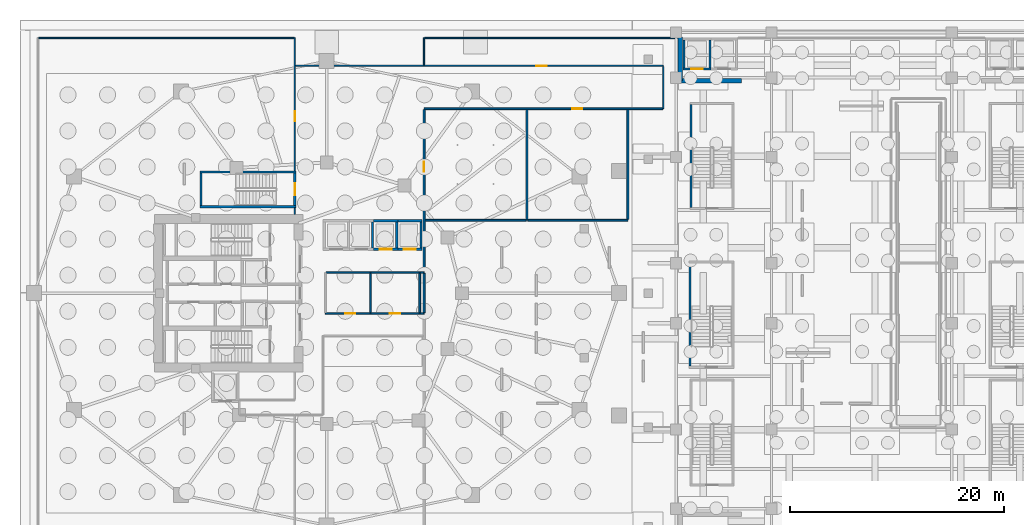
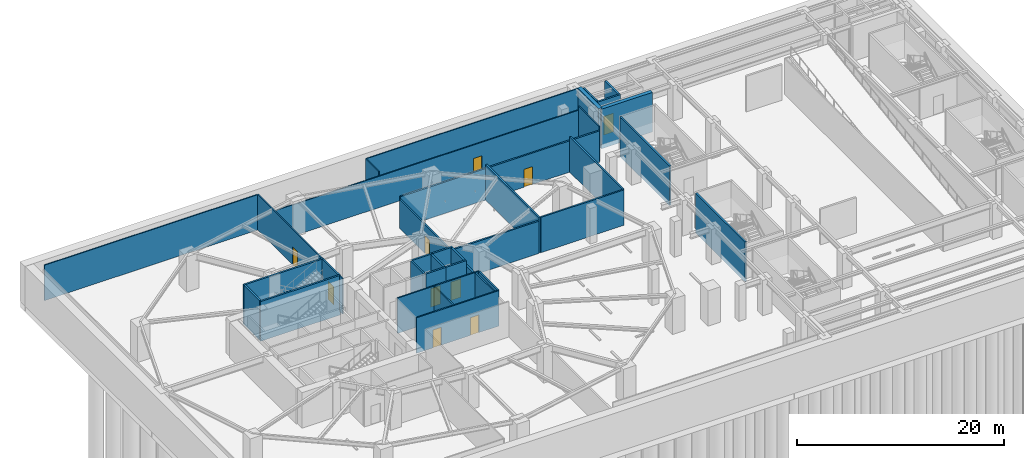
# One storey, part 9 of 19: 36 walls, 10 doors, 10 openings.
"""IFC4 building model written with IfcOpenShell, lengths in metres."""

from ifc_helpers import new_model, si_unit, direction, frame, frame_2d, origin, place, context, subcontext, project, spatial, rectangle, extrude, material, layer, layer_set, type_object, element, fill, save


model = new_model("IFC4")

# Units and contexts
model_context = context("Model", 3, precision=1e-05, world=origin(), true_north=direction((0.0, 1.0)))
body_context = subcontext(model_context, "Body", "Model", "MODEL_VIEW")
ifc_project = project(units=[si_unit("LENGTHUNIT", "METRE"), si_unit("AREAUNIT", "SQUARE_METRE"), si_unit("VOLUMEUNIT", "CUBIC_METRE"), si_unit("PLANEANGLEUNIT", "RADIAN"), si_unit("MASSUNIT", "GRAM", prefix="KILO")], contexts=[model_context])

# Site, building, storey
site_placement = place(None, origin())
site = spatial("IfcSite", under=ifc_project, at=site_placement, CompositionType="ELEMENT")
building_placement = place(site_placement, origin())
building = spatial("IfcBuilding", under=site, at=building_placement, Name="Kolvaren Gate Tower and Convention Centre", CompositionType="ELEMENT")
storey_placement = place(building_placement, frame((0.0, 0.0, -13.5)))
storey = spatial("IfcBuildingStorey", under=building, at=storey_placement, Name="B3", CompositionType="ELEMENT", Elevation=-13.5)

# Wall, opening, door
ifc_material_1 = material(Name="Autoclaved Aerated Masonry Blockwork Class 4 (4.0 MPa)", Category="masonry")
ifc_layer_1 = layer(ifc_material_1, 0.179931640625)
ifc_layer_set_1 = layer_set([ifc_layer_1], Name="Autoclaved Aerated Masonry Blockwork Class 4 (4.0 MPa)")
wall_type_1 = type_object("IfcWallType", Name="ARCH-WL-COMP-180", PredefinedType="SOLIDWALL", material=ifc_layer_set_1)
wall_1_placement = place(storey_placement, frame((39.199951171875, 44.199951171875, 0.0), z_axis=(0.0, 0.0, 1.0), x_axis=(1.0, 0.0, 0.0)))
wall_1 = element("IfcWall", 1, at=wall_1_placement, inside=storey, type_object=wall_type_1, Name="Interior Partition WL-B3-INT-022", PredefinedType="SOLIDWALL", context=body_context, shape_type="SweptSolid", body=[
    extrude(rectangle(XDim=22.238037109375, YDim=0.179931640625, at=frame_2d((11.119140625, 0.0))), origin(), (0.0, 0.0, 1.0), 3.702880859375),
])
opening_1_placement = place(wall_1_placement, frame((13.824951171875, 0.0, 0.0)))
opening_1 = element("IfcOpeningElement", 2, at=opening_1_placement, cuts=wall_1, Name="Opening DR-01", PredefinedType="OPENING", context=body_context, shape_type="SweptSolid", body=[
    extrude(rectangle(XDim=0.949951171875, YDim=2.10009765625, at=frame_2d((0.47509765625, 1.050048828125))), frame((0.0, 0.099853515625, 0.0), z_axis=(0.0, -1.0, 0.0), x_axis=(1.0, 0.0, 0.0)), (0.0, 0.0, 1.0), 0.199951171875),
])
ifc_material_2 = material(Name="Painted Architectural Steelwork ASTM A500 Grade C 345 MPa", Category="steel")
door_type_1 = type_object("IfcDoorType", Name="ARCH-DR-RISER-950", OperationType="SINGLE_SWING_RIGHT", PredefinedType="DOOR", material=ifc_material_2)
door_1_placement = place(opening_1_placement, origin())
door_1 = element("IfcDoor", 3, at=door_1_placement, inside=storey, type_object=door_type_1, Name="Standby Emergency Generator Plant Room Door", OperationType="SINGLE_SWING_LEFT", OverallHeight=2.10009765625, OverallWidth=0.949951171875, PredefinedType="DOOR", context=body_context, shape_type="SweptSolid", body=[
    extrude(rectangle(XDim=0.949951171875, YDim=2.10009765625, at=frame_2d((0.47509765625, 1.050048828125))), frame((0.0, 0.02490234375, 0.0), z_axis=(0.0, -1.0, 0.0), x_axis=(1.0, 0.0, 0.0)), (0.0, 0.0, 1.0), 0.050048828125),
])
fill(opening_1, door_1)

# Wall
wall_2_placement = place(storey_placement, frame((39.199951171875, 25.197021484375, 0.0), z_axis=(0.0, 0.0, 1.0), x_axis=(0.0, 1.0, 0.0)))
element("IfcWall", 4, at=wall_2_placement, inside=storey, type_object=wall_type_1, Name="Interior Partition WL-B3-INT-023 (2)", PredefinedType="SOLIDWALL", context=body_context, shape_type="SweptSolid", body=[
    extrude(rectangle(XDim=3.64599609375, YDim=0.179931640625, at=frame_2d((1.822998046875, 0.0))), origin(), (0.0, 0.0, 1.0), 4.179931640625),
])

# Wall, opening, door
wall_3_placement = place(storey_placement, frame((39.199951171875, 28.9970703125, 0.0), z_axis=(0.0, 0.0, 1.0), x_axis=(0.0, 1.0, 0.0)))
wall_3 = element("IfcWall", 5, at=wall_3_placement, inside=storey, type_object=wall_type_1, Name="Interior Partition WL-B3-INT-023 (3)", PredefinedType="SOLIDWALL", context=body_context, shape_type="SweptSolid", body=[
    extrude(rectangle(XDim=15.11083984375, YDim=0.179931640625, at=frame_2d((7.555419921875, 0.0))), origin(), (0.0, 0.0, 1.0), 3.4140625),
])
opening_2_placement = place(wall_3_placement, frame((9.31201171875, 0.0, 0.0)))
opening_2 = element("IfcOpeningElement", 6, at=opening_2_placement, cuts=wall_3, Name="Opening DR-01", PredefinedType="OPENING", context=body_context, shape_type="SweptSolid", body=[
    extrude(rectangle(XDim=0.949951171875, YDim=2.10009765625, at=frame_2d((0.47509765625, 1.050048828125))), frame((0.0, 0.099853515625, 0.0), z_axis=(0.0, -1.0, 0.0), x_axis=(1.0, 0.0, 0.0)), (0.0, 0.0, 1.0), 0.199951171875),
])
door_2_placement = place(opening_2_placement, origin())
door_2 = element("IfcDoor", 7, at=door_2_placement, inside=storey, type_object=door_type_1, Name="Fire-Protection Cistern and Domestic Water Booster Plant Door", OperationType="SINGLE_SWING_RIGHT", OverallHeight=2.10009765625, OverallWidth=0.949951171875, PredefinedType="DOOR", context=body_context, shape_type="SweptSolid", body=[
    extrude(rectangle(XDim=0.949951171875, YDim=2.10009765625, at=frame_2d((0.47509765625, 1.050048828125))), frame((0.0, 0.02490234375, 0.0), z_axis=(0.0, -1.0, 0.0), x_axis=(1.0, 0.0, 0.0)), (0.0, 0.0, 1.0), 0.050048828125),
])
fill(opening_2, door_2)

# Walls
wall_4_placement = place(storey_placement, frame((48.800048828125, 33.800048828125, 0.0), z_axis=(0.0, 0.0, 1.0), x_axis=(0.0, 1.0, 0.0)))
element("IfcWall", 8, at=wall_4_placement, inside=storey, type_object=wall_type_1, Name="Interior Partition WL-B3-INT-034", PredefinedType="SOLIDWALL", context=body_context, shape_type="SweptSolid", body=[
    extrude(rectangle(XDim=10.307861328125, YDim=0.179931640625, at=frame_2d((5.15380859375, 0.0))), origin(), (0.0, 0.0, 1.0), 4.179931640625),
])
wall_5_placement = place(storey_placement, frame((39.2919921875, 33.800048828125, 0.0), z_axis=(0.0, 0.0, 1.0), x_axis=(1.0, 0.0, 0.0)))
element("IfcWall", 9, at=wall_5_placement, inside=storey, type_object=wall_type_1, Name="Interior Partition WL-B3-INT-035", PredefinedType="SOLIDWALL", context=body_context, shape_type="SweptSolid", body=[
    extrude(rectangle(XDim=9.416015625, YDim=0.179931640625, at=frame_2d((4.7080078125, 0.0))), origin(), (0.0, 0.0, 1.0), 3.81494140625),
])
wall_6_placement = place(storey_placement, frame((48.89208984375, 33.800048828125, 0.0), z_axis=(0.0, 0.0, 1.0), x_axis=(1.0, 0.0, 0.0)))
element("IfcWall", 10, at=wall_6_placement, inside=storey, type_object=wall_type_1, Name="Interior Partition WL-B3-INT-035 (2)", PredefinedType="SOLIDWALL", context=body_context, shape_type="SweptSolid", body=[
    extrude(rectangle(XDim=9.307861328125, YDim=0.179931640625, at=frame_2d((4.65380859375, 0.0))), origin(), (0.0, 0.0, 1.0), 4.179931640625),
])
wall_7_placement = place(storey_placement, frame((58.199951171875, 33.89208984375, 0.0), z_axis=(0.0, 0.0, 1.0), x_axis=(0.0, 1.0, 0.0)))
element("IfcWall", 11, at=wall_7_placement, inside=storey, type_object=wall_type_1, Name="Interior Partition WL-B3-INT-036", PredefinedType="SOLIDWALL", context=body_context, shape_type="SweptSolid", body=[
    extrude(rectangle(XDim=10.2158203125, YDim=0.179931640625, at=frame_2d((5.10791015625, 0.0))), origin(), (0.0, 0.0, 1.0), 4.179931640625),
])
ifc_material_3 = material(Name="Fire-Rated Acoustic Gypsum Stud Partition", Category="gypsum")
ifc_layer_2 = layer(ifc_material_3, 0.1201171875)
ifc_layer_set_2 = layer_set([ifc_layer_2], Name="Fire-Rated Acoustic Gypsum Stud Partition")
wall_type_2 = type_object("IfcWallType", Name="ARCH-WL-PART-120", PredefinedType="PARTITIONING", material=ifc_layer_set_2)
wall_8_placement = place(storey_placement, frame((27.14990234375, 34.35205078125, 0.0), z_axis=(0.0, 0.0, 1.0), x_axis=(0.0, 1.0, 0.0)))
element("IfcWall", 12, at=wall_8_placement, inside=storey, type_object=wall_type_2, Name="Interior Partition WL-B3-INT-018", PredefinedType="PARTITIONING", context=body_context, shape_type="SweptSolid", body=[
    extrude(rectangle(XDim=0.60595703125, YDim=0.1201171875, at=frame_2d((0.302978515625, 0.0))), origin(), (0.0, 0.0, 1.0), 4.179931640625),
])

# Wall, opening, door
wall_9_placement = place(storey_placement, frame((27.14990234375, 38.402099609375, 0.0), z_axis=(0.0, 0.0, 1.0), x_axis=(0.0, 1.0, 0.0)))
wall_9 = element("IfcWall", 13, at=wall_9_placement, inside=storey, type_object=wall_type_2, Name="Interior Partition WL-B3-INT-019", PredefinedType="PARTITIONING", context=body_context, shape_type="SweptSolid", body=[
    extrude(rectangle(XDim=12.39794921875, YDim=0.1201171875, at=frame_2d((6.198974609375, 0.0))), origin(), (0.0, 0.0, 1.0), 4.179931640625),
])
opening_3_placement = place(wall_9_placement, frame((4.62890625, 0.0, 0.0)))
opening_3 = element("IfcOpeningElement", 14, at=opening_3_placement, cuts=wall_9, Name="Opening DR-01", PredefinedType="OPENING", context=body_context, shape_type="SweptSolid", body=[
    extrude(rectangle(XDim=0.949951171875, YDim=2.10009765625, at=frame_2d((0.47509765625, 1.050048828125))), frame((0.0, 0.070068359375, 0.0), z_axis=(0.0, -1.0, 0.0), x_axis=(1.0, 0.0, 0.0)), (0.0, 0.0, 1.0), 0.14013671875),
])
door_3_placement = place(opening_3_placement, origin())
door_3 = element("IfcDoor", 15, at=door_3_placement, inside=storey, type_object=door_type_1, Name="Basement B3 Tower Parking Aisles and Bays Door", OperationType="SINGLE_SWING_LEFT", OverallHeight=2.10009765625, OverallWidth=0.949951171875, PredefinedType="DOOR", context=body_context, shape_type="SweptSolid", body=[
    extrude(rectangle(XDim=0.949951171875, YDim=2.10009765625, at=frame_2d((0.47509765625, 1.050048828125))), frame((0.0, 0.02490234375, 0.0), z_axis=(0.0, -1.0, 0.0), x_axis=(1.0, 0.0, 0.0)), (0.0, 0.0, 1.0), 0.050048828125),
])
fill(opening_3, door_3)

wall_10_placement = place(storey_placement, frame((27.2119140625, 48.199951171875, 0.0), z_axis=(0.0, 0.0, 1.0), x_axis=(1.0, 0.0, 0.0)))
wall_10 = element("IfcWall", 16, at=wall_10_placement, inside=storey, type_object=wall_type_2, Name="Interior Partition WL-B3-INT-020", PredefinedType="PARTITIONING", context=body_context, shape_type="SweptSolid", body=[
    extrude(rectangle(XDim=34.2880859375, YDim=0.1201171875, at=frame_2d((17.14404296875, 0.0))), origin(), (0.0, 0.0, 1.0), 3.702880859375),
])
opening_4_placement = place(wall_10_placement, frame((22.4580078125, 0.0, 0.0)))
opening_4 = element("IfcOpeningElement", 17, at=opening_4_placement, cuts=wall_10, Name="Opening DR-01", PredefinedType="OPENING", context=body_context, shape_type="SweptSolid", body=[
    extrude(rectangle(XDim=0.949951171875, YDim=2.10009765625, at=frame_2d((0.47509765625, 1.050048828125))), frame((0.0, 0.070068359375, 0.0), z_axis=(0.0, -1.0, 0.0), x_axis=(1.0, 0.0, 0.0)), (0.0, 0.0, 1.0), 0.14013671875),
])
door_4_placement = place(opening_4_placement, origin())
door_4 = element("IfcDoor", 18, at=door_4_placement, inside=storey, type_object=door_type_1, Name="Basement B3 Convention Parking Garage Door", OperationType="SINGLE_SWING_RIGHT", OverallHeight=2.10009765625, OverallWidth=0.949951171875, PredefinedType="DOOR", context=body_context, shape_type="SweptSolid", body=[
    extrude(rectangle(XDim=0.949951171875, YDim=2.10009765625, at=frame_2d((0.47509765625, 1.050048828125))), frame((0.0, 0.02490234375, 0.0), z_axis=(0.0, -1.0, 0.0), x_axis=(1.0, 0.0, 0.0)), (0.0, 0.0, 1.0), 0.050048828125),
])
fill(opening_4, door_4)

# Walls
wall_11_placement = place(storey_placement, frame((61.5, 44.199951171875, 0.0), z_axis=(0.0, 0.0, 1.0), x_axis=(0.0, 1.0, 0.0)))
element("IfcWall", 19, at=wall_11_placement, inside=storey, type_object=wall_type_2, Name="Interior Partition WL-B3-INT-021", PredefinedType="PARTITIONING", context=body_context, shape_type="SweptSolid", body=[
    extrude(rectangle(XDim=3.93798828125, YDim=0.1201171875, at=frame_2d((1.968994140625, 0.0))), origin(), (0.0, 0.0, 1.0), 4.179931640625),
])
wall_12_placement = place(storey_placement, frame((39.199951171875, 48.261962890625, 0.0), z_axis=(0.0, 0.0, 1.0), x_axis=(0.0, 1.0, 0.0)))
element("IfcWall", 20, at=wall_12_placement, inside=storey, type_object=wall_type_2, Name="Interior Partition WL-B3-INT-024", PredefinedType="PARTITIONING", context=body_context, shape_type="SweptSolid", body=[
    extrude(rectangle(XDim=2.5380859375, YDim=0.1201171875, at=frame_2d((1.26904296875, 0.0))), origin(), (0.0, 0.0, 1.0), 4.179931640625),
])
wall_13_placement = place(storey_placement, frame((3.261962890625, 50.800048828125, 0.0), z_axis=(0.0, 0.0, 1.0), x_axis=(1.0, 0.0, 0.0)))
element("IfcWall", 21, at=wall_13_placement, inside=storey, type_object=wall_type_2, Name="Interior Partition WL-B3-INT-029", PredefinedType="PARTITIONING", context=body_context, shape_type="SweptSolid", body=[
    extrude(rectangle(XDim=23.825927734375, YDim=0.1201171875, at=frame_2d((11.9130859375, 0.0))), origin(), (0.0, 0.0, 1.0), 4.179931640625),
])
wall_14_placement = place(storey_placement, frame((39.261962890625, 50.800048828125, 0.0), z_axis=(0.0, 0.0, 1.0), x_axis=(1.0, 0.0, 0.0)))
element("IfcWall", 22, at=wall_14_placement, inside=storey, type_object=wall_type_2, Name="Interior Partition WL-B3-INT-030", PredefinedType="PARTITIONING", context=body_context, shape_type="SweptSolid", body=[
    extrude(rectangle(XDim=23.6259765625, YDim=0.1201171875, at=frame_2d((11.81298828125, 0.0))), origin(), (0.0, 0.0, 1.0), 4.179931640625),
])
ifc_layer_3 = layer(ifc_material_1, 0.199951171875)
ifc_layer_set_3 = layer_set([ifc_layer_3], Name="Autoclaved Aerated Masonry Blockwork Class 4 (4.0 MPa)")
wall_type_3 = type_object("IfcWallType", Name="ARCH-WL-SHAFT-200", PredefinedType="SOLIDWALL", material=ifc_layer_set_3)
wall_15_placement = place(storey_placement, frame((34.39990234375, 31.2099609375, 0.0), z_axis=(0.0, 0.0, 1.0), x_axis=(0.0, 1.0, 0.0)))
element("IfcWall", 23, at=wall_15_placement, inside=storey, type_object=wall_type_3, Name="Elevator PL-02 B3 Fire Shaft Wall E", PredefinedType="SOLIDWALL", context=body_context, shape_type="SweptSolid", body=[
    extrude(rectangle(XDim=2.429931640625, YDim=0.199951171875, at=frame_2d((1.21484375, 0.0))), origin(), (0.0, 0.0, 1.0), 4.179931640625),
])
wall_16_placement = place(storey_placement, frame((34.5, 33.75, 0.0), z_axis=(0.0, 0.0, 1.0), x_axis=(1.0, 0.0, 0.0)))
element("IfcWall", 24, at=wall_16_placement, inside=storey, type_object=wall_type_3, Name="Elevator PL-03 B3 Fire Shaft Wall N", PredefinedType="SOLIDWALL", context=body_context, shape_type="SweptSolid", body=[
    extrude(rectangle(XDim=2.25, YDim=0.199951171875, at=frame_2d((1.125, 0.0))), origin(), (0.0, 0.0, 1.0), 4.179931640625),
])

# Wall, opening, door
wall_17_placement = place(storey_placement, frame((34.5, 31.10009765625, 0.0), z_axis=(0.0, 0.0, 1.0), x_axis=(1.0, 0.0, 0.0)))
wall_17 = element("IfcWall", 25, at=wall_17_placement, inside=storey, type_object=wall_type_3, Name="Elevator PL-03 B3 Fire Shaft Wall S", PredefinedType="SOLIDWALL", context=body_context, shape_type="SweptSolid", body=[
    extrude(rectangle(XDim=2.25, YDim=0.199951171875, at=frame_2d((1.125, 0.0))), origin(), (0.0, 0.0, 1.0), 4.179931640625),
])
opening_5_placement = place(wall_17_placement, frame((0.574951171875, 0.0, 0.0)))
opening_5 = element("IfcOpeningElement", 26, at=opening_5_placement, cuts=wall_17, Name="Opening LD", PredefinedType="OPENING", context=body_context, shape_type="SweptSolid", body=[
    extrude(rectangle(XDim=1.10009765625, YDim=2.199951171875, at=frame_2d((0.550048828125, 1.10009765625))), frame((0.0, 0.10986328125, 0.0), z_axis=(0.0, -1.0, 0.0), x_axis=(1.0, 0.0, 0.0)), (0.0, 0.0, 1.0), 0.219970703125),
])
ifc_material_4 = material(Name="Brushed Stainless Steel Grade 316L", Category="steel")
door_type_2 = type_object("IfcDoorType", Name="ARCH-DR-LIFT-1100", OperationType="SLIDING_TO_LEFT", PredefinedType="DOOR", material=ifc_material_4)
door_5_placement = place(opening_5_placement, origin())
door_5 = element("IfcDoor", 27, at=door_5_placement, inside=storey, type_object=door_type_2, Name="Elevator PL-03 B3 Sliding Landing Door", OperationType="SLIDING_TO_LEFT", OverallHeight=2.199951171875, OverallWidth=1.10009765625, PredefinedType="DOOR", context=body_context, shape_type="SweptSolid", body=[
    extrude(rectangle(XDim=1.10009765625, YDim=2.199951171875, at=frame_2d((0.550048828125, 1.10009765625))), frame((0.0, 0.02490234375, 0.0), z_axis=(0.0, -1.0, 0.0), x_axis=(1.0, 0.0, 0.0)), (0.0, 0.0, 1.0), 0.050048828125),
])
fill(opening_5, door_5)

# Walls
wall_18_placement = place(storey_placement, frame((36.64990234375, 31.2099609375, 0.0), z_axis=(0.0, 0.0, 1.0), x_axis=(0.0, 1.0, 0.0)))
element("IfcWall", 28, at=wall_18_placement, inside=storey, type_object=wall_type_3, Name="Elevator PL-03 B3 Fire Shaft Wall E", PredefinedType="SOLIDWALL", context=body_context, shape_type="SweptSolid", body=[
    extrude(rectangle(XDim=2.429931640625, YDim=0.199951171875, at=frame_2d((1.21484375, 0.0))), origin(), (0.0, 0.0, 1.0), 4.179931640625),
])
wall_19_placement = place(storey_placement, frame((36.75, 33.75, 0.0), z_axis=(0.0, 0.0, 1.0), x_axis=(1.0, 0.0, 0.0)))
element("IfcWall", 29, at=wall_19_placement, inside=storey, type_object=wall_type_3, Name="Elevator PL-04 B3 Fire Shaft Wall N", PredefinedType="SOLIDWALL", context=body_context, shape_type="SweptSolid", body=[
    extrude(rectangle(XDim=2.25, YDim=0.199951171875, at=frame_2d((1.125, 0.0))), origin(), (0.0, 0.0, 1.0), 4.179931640625),
])

# Wall, opening, door
wall_20_placement = place(storey_placement, frame((36.75, 31.10009765625, 0.0), z_axis=(0.0, 0.0, 1.0), x_axis=(1.0, 0.0, 0.0)))
wall_20 = element("IfcWall", 30, at=wall_20_placement, inside=storey, type_object=wall_type_3, Name="Elevator PL-04 B3 Fire Shaft Wall S", PredefinedType="SOLIDWALL", context=body_context, shape_type="SweptSolid", body=[
    extrude(rectangle(XDim=2.25, YDim=0.199951171875, at=frame_2d((1.125, 0.0))), origin(), (0.0, 0.0, 1.0), 4.179931640625),
])
opening_6_placement = place(wall_20_placement, frame((0.574951171875, 0.0, 0.0)))
opening_6 = element("IfcOpeningElement", 31, at=opening_6_placement, cuts=wall_20, Name="Opening LD", PredefinedType="OPENING", context=body_context, shape_type="SweptSolid", body=[
    extrude(rectangle(XDim=1.10009765625, YDim=2.199951171875, at=frame_2d((0.550048828125, 1.10009765625))), frame((0.0, 0.10986328125, 0.0), z_axis=(0.0, -1.0, 0.0), x_axis=(1.0, 0.0, 0.0)), (0.0, 0.0, 1.0), 0.219970703125),
])
door_6_placement = place(opening_6_placement, origin())
door_6 = element("IfcDoor", 32, at=door_6_placement, inside=storey, type_object=door_type_2, Name="Elevator PL-04 B3 Sliding Landing Door", OperationType="SLIDING_TO_LEFT", OverallHeight=2.199951171875, OverallWidth=1.10009765625, PredefinedType="DOOR", context=body_context, shape_type="SweptSolid", body=[
    extrude(rectangle(XDim=1.10009765625, YDim=2.199951171875, at=frame_2d((0.550048828125, 1.10009765625))), frame((0.0, 0.02490234375, 0.0), z_axis=(0.0, -1.0, 0.0), x_axis=(1.0, 0.0, 0.0)), (0.0, 0.0, 1.0), 0.050048828125),
])
fill(opening_6, door_6)

# Wall
wall_21_placement = place(storey_placement, frame((38.89990234375, 31.2099609375, 0.0), z_axis=(0.0, 0.0, 1.0), x_axis=(0.0, 1.0, 0.0)))
element("IfcWall", 33, at=wall_21_placement, inside=storey, type_object=wall_type_3, Name="Elevator PL-04 B3 Fire Shaft Wall E", PredefinedType="SOLIDWALL", context=body_context, shape_type="SweptSolid", body=[
    extrude(rectangle(XDim=2.429931640625, YDim=0.199951171875, at=frame_2d((1.21484375, 0.0))), origin(), (0.0, 0.0, 1.0), 4.179931640625),
])

# Wall, opening, door
wall_22_placement = place(storey_placement, frame((63.35009765625, 47.89990234375, 0.0), z_axis=(0.0, 0.0, 1.0), x_axis=(1.0, 0.0, 0.0)))
wall_22 = element("IfcWall", 34, at=wall_22_placement, inside=storey, type_object=wall_type_3, Name="Elevator CL-01 B3 Fire Shaft Wall S", PredefinedType="SOLIDWALL", context=body_context, shape_type="SweptSolid", body=[
    extrude(rectangle(XDim=2.599853515625, YDim=0.199951171875, at=frame_2d((1.2998046875, 0.0))), origin(), (0.0, 0.0, 1.0), 4.179931640625),
])
opening_7_placement = place(wall_22_placement, frame((0.75, 0.0, 0.0)))
opening_7 = element("IfcOpeningElement", 35, at=opening_7_placement, cuts=wall_22, Name="Opening LD", PredefinedType="OPENING", context=body_context, shape_type="SweptSolid", body=[
    extrude(rectangle(XDim=1.10009765625, YDim=2.199951171875, at=frame_2d((0.550048828125, 1.10009765625))), frame((0.0, 0.10986328125, 0.0), z_axis=(0.0, -1.0, 0.0), x_axis=(1.0, 0.0, 0.0)), (0.0, 0.0, 1.0), 0.219970703125),
])
door_7_placement = place(opening_7_placement, origin())
door_7 = element("IfcDoor", 36, at=door_7_placement, inside=storey, type_object=door_type_2, Name="Elevator CL-01 B3 Sliding Landing Door", OperationType="SLIDING_TO_LEFT", OverallHeight=2.199951171875, OverallWidth=1.10009765625, PredefinedType="DOOR", context=body_context, shape_type="SweptSolid", body=[
    extrude(rectangle(XDim=1.10009765625, YDim=2.199951171875, at=frame_2d((0.550048828125, 1.10009765625))), frame((0.0, 0.02490234375, 0.0), z_axis=(0.0, -1.0, 0.0), x_axis=(1.0, 0.0, 0.0)), (0.0, 0.0, 1.0), 0.050048828125),
])
fill(opening_7, door_7)

# Walls
for number, where, z_axis, x_axis, name in (
    (37, (63.449951171875, 48.010009765625, 0.0), (0.0, 0.0, 1.0), (0.0, 1.0, 0.0), "Elevator CL-01 B3 Fire Shaft Wall W"),
    (38, (65.85009765625, 48.010009765625, 0.0), (0.0, 0.0, 1.0), (0.0, 1.0, 0.0), "Elevator CL-01 B3 Fire Shaft Wall E"),
):
    element("IfcWall", number, at=place(storey_placement, frame(where, z_axis=z_axis, x_axis=x_axis)), inside=storey, type_object=wall_type_3, Name=name, PredefinedType="SOLIDWALL", context=body_context, shape_type="SweptSolid", body=[
        extrude(rectangle(XDim=2.580078125, YDim=0.199951171875, at=frame_2d((1.2900390625, 0.0))), origin(), (0.0, 0.0, 1.0), 4.179931640625),
    ])

# Wall, openings, doors
ifc_material_5 = material(Name="Moisture-Resistant Cement-Board Acoustic Partition", Category="gypsum")
ifc_layer_4 = layer(ifc_material_5, 0.14990234375)
ifc_layer_set_4 = layer_set([ifc_layer_4], Name="Moisture-Resistant Cement-Board Acoustic Partition")
wall_type_4 = type_object("IfcWallType", Name="ARCH-WL-WET-150", PredefinedType="PARTITIONING", material=ifc_layer_set_4)
wall_23_placement = place(storey_placement, frame((30.0, 25.1201171875, 0.0), z_axis=(0.0, 0.0, 1.0), x_axis=(1.0, 0.0, 0.0)))
wall_23 = element("IfcWall", 39, at=wall_23_placement, inside=storey, type_object=wall_type_4, Name="Interior Partition WL-B3-INT-009", PredefinedType="PARTITIONING", context=body_context, shape_type="SweptSolid", body=[
    extrude(rectangle(XDim=9.199951171875, YDim=0.14990234375, at=frame_2d((4.60009765625, 0.0))), origin(), (0.0, 0.0, 1.0), 4.179931640625),
])
opening_8_placement = place(wall_23_placement, frame((1.830078125, 0.0, 0.0)))
opening_8 = element("IfcOpeningElement", 40, at=opening_8_placement, cuts=wall_23, Name="Opening DR-01", PredefinedType="OPENING", context=body_context, shape_type="SweptSolid", body=[
    extrude(rectangle(XDim=0.949951171875, YDim=2.10009765625, at=frame_2d((0.47509765625, 1.050048828125))), frame((0.0, 0.0849609375, 0.0), z_axis=(0.0, -1.0, 0.0), x_axis=(1.0, 0.0, 0.0)), (0.0, 0.0, 1.0), 0.169921875),
])
opening_9_placement = place(wall_23_placement, frame((6.02001953125, 0.0, 0.0)))
opening_9 = element("IfcOpeningElement", 41, at=opening_9_placement, cuts=wall_23, Name="Opening DR-01", PredefinedType="OPENING", context=body_context, shape_type="SweptSolid", body=[
    extrude(rectangle(XDim=0.949951171875, YDim=2.10009765625, at=frame_2d((0.47509765625, 1.050048828125))), frame((0.0, 0.0849609375, 0.0), z_axis=(0.0, -1.0, 0.0), x_axis=(1.0, 0.0, 0.0)), (0.0, 0.0, 1.0), 0.169921875),
])
door_8_placement = place(opening_8_placement, origin())
door_8 = element("IfcDoor", 42, at=door_8_placement, inside=storey, type_object=door_type_1, Name="Basement Accessible Restroom Door", OperationType="SINGLE_SWING_LEFT", OverallHeight=2.10009765625, OverallWidth=0.949951171875, PredefinedType="DOOR", context=body_context, shape_type="SweptSolid", body=[
    extrude(rectangle(XDim=0.949951171875, YDim=2.10009765625, at=frame_2d((0.47509765625, 1.050048828125))), frame((0.0, 0.02490234375, 0.0), z_axis=(0.0, -1.0, 0.0), x_axis=(1.0, 0.0, 0.0)), (0.0, 0.0, 1.0), 0.050048828125),
])
fill(opening_8, door_8)
door_9_placement = place(opening_9_placement, origin())
door_9 = element("IfcDoor", 43, at=door_9_placement, inside=storey, type_object=door_type_1, Name="Basement Janitor and Maintenance Store Door", OperationType="SINGLE_SWING_RIGHT", OverallHeight=2.10009765625, OverallWidth=0.949951171875, PredefinedType="DOOR", context=body_context, shape_type="SweptSolid", body=[
    extrude(rectangle(XDim=0.949951171875, YDim=2.10009765625, at=frame_2d((0.47509765625, 1.050048828125))), frame((0.0, 0.02490234375, 0.0), z_axis=(0.0, -1.0, 0.0), x_axis=(1.0, 0.0, 0.0)), (0.0, 0.0, 1.0), 0.050048828125),
])
fill(opening_9, door_9)

# Walls
wall_24_placement = place(storey_placement, frame((30.076904296875, 28.919921875, 0.0), z_axis=(0.0, 0.0, 1.0), x_axis=(1.0, 0.0, 0.0)))
element("IfcWall", 44, at=wall_24_placement, inside=storey, type_object=wall_type_4, Name="Interior Partition WL-B3-INT-011", PredefinedType="PARTITIONING", context=body_context, shape_type="SweptSolid", body=[
    extrude(rectangle(XDim=9.123046875, YDim=0.14990234375, at=frame_2d((4.5615234375, 0.0))), origin(), (0.0, 0.0, 1.0), 4.179931640625),
])
for number, where, z_axis, x_axis, name in (
    (45, (34.199951171875, 25.197021484375, 0.0), (0.0, 0.0, 1.0), (0.0, 1.0, 0.0), "Interior Partition WL-B3-INT-012"),
    (46, (38.800048828125, 25.197021484375, 0.0), (0.0, 0.0, 1.0), (0.0, 1.0, 0.0), "Interior Partition WL-B3-INT-013"),
):
    element("IfcWall", number, at=place(storey_placement, frame(where, z_axis=z_axis, x_axis=x_axis)), inside=storey, type_object=wall_type_4, Name=name, PredefinedType="PARTITIONING", context=body_context, shape_type="SweptSolid", body=[
        extrude(rectangle(XDim=3.64599609375, YDim=0.14990234375, at=frame_2d((1.822998046875, 0.0))), origin(), (0.0, 0.0, 1.0), 4.179931640625),
    ])
ifc_material_6 = material(Name="Concrete C50/60", Category="concrete")
ifc_layer_5 = layer(ifc_material_6, 0.419921875)
ifc_layer_set_5 = layer_set([ifc_layer_5], Name="Concrete C50/60")
wall_type_5 = type_object("IfcWallType", Name="STR-WL-CONV-420", PredefinedType="SHEAR", material=ifc_layer_set_5)
wall_25_placement = place(storey_placement, frame((63.10009765625, 46.800048828125, -0.5), z_axis=(0.0, 0.0, 1.0), x_axis=(0.0, 1.0, 0.0)))
element("IfcWall", 47, at=wall_25_placement, inside=storey, type_object=wall_type_5, Name="Convention B3 Shear Core Wall CCNW-W", PredefinedType="SHEAR", context=body_context, shape_type="SweptSolid", body=[
    extrude(rectangle(XDim=4.099853515625, YDim=0.419921875, at=frame_2d((2.0498046875, 0.0))), origin(), (0.0, 0.0, 1.0), 4.679931640625),
])
wall_26_placement = place(storey_placement, frame((63.10009765625, 46.800048828125, -0.5), z_axis=(0.0, 0.0, 1.0), x_axis=(1.0, 0.0, 0.0)))
element("IfcWall", 48, at=wall_26_placement, inside=storey, type_object=wall_type_5, Name="Convention B3 Shear Core Wall CCNW-S", PredefinedType="SHEAR", context=body_context, shape_type="SweptSolid", body=[
    extrude(rectangle(XDim=5.699951171875, YDim=0.419921875, at=frame_2d((2.85009765625, 0.0))), origin(), (0.0, 0.0, 1.0), 4.679931640625),
])

# Wall, opening, door
ifc_layer_6 = layer(ifc_material_6, 0.199951171875)
ifc_layer_set_6 = layer_set([ifc_layer_6], Name="Concrete C50/60")
wall_type_6 = type_object("IfcWallType", Name="STR-WL-SHAFT-200", PredefinedType="SHEAR", material=ifc_layer_set_6)
wall_27_placement = place(storey_placement, frame((27.14990234375, 35.159912109375, -0.5), z_axis=(0.0, 0.0, 1.0), x_axis=(0.0, 1.0, 0.0)))
wall_27 = element("IfcWall", 49, at=wall_27_placement, inside=storey, type_object=wall_type_6, Name="Tower Mid-Zone Exit Stair ST-T3 B3 Structural Shear Enclosure Wall NEAR", PredefinedType="SHEAR", context=body_context, shape_type="SweptSolid", body=[
    extrude(rectangle(XDim=3.0400390625, YDim=0.199951171875, at=frame_2d((1.52001953125, 0.0))), origin(), (0.0, 0.0, 1.0), 4.679931640625),
])
opening_10_placement = place(wall_27_placement, frame((0.969970703125, 0.0, 0.5)))
opening_10 = element("IfcOpeningElement", 50, at=opening_10_placement, cuts=wall_27, Name="Opening DS-01", PredefinedType="OPENING", context=body_context, shape_type="SweptSolid", body=[
    extrude(rectangle(XDim=1.10009765625, YDim=2.14990234375, at=frame_2d((0.550048828125, 1.074951171875))), frame((0.0, 0.10986328125, 0.0), z_axis=(0.0, -1.0, 0.0), x_axis=(1.0, 0.0, 0.0)), (0.0, 0.0, 1.0), 0.219970703125),
])
door_type_3 = type_object("IfcDoorType", Name="ARCH-DR-STAIR-1100", OperationType="SINGLE_SWING_LEFT", PredefinedType="DOOR", material=ifc_material_2)
door_10_placement = place(opening_10_placement, origin())
door_10 = element("IfcDoor", 51, at=door_10_placement, inside=storey, type_object=door_type_3, Name="Tower Mid-Zone Exit Stair ST-T3 B3 Fire Exit Stair Door", OperationType="SINGLE_SWING_LEFT", OverallHeight=2.14990234375, OverallWidth=1.10009765625, PredefinedType="DOOR", context=body_context, shape_type="SweptSolid", body=[
    extrude(rectangle(XDim=1.10009765625, YDim=2.14990234375, at=frame_2d((0.550048828125, 1.074951171875))), frame((0.0, 0.02490234375, 0.0), z_axis=(0.0, -1.0, 0.0), x_axis=(1.0, 0.0, 0.0)), (0.0, 0.0, 1.0), 0.050048828125),
])
fill(opening_10, door_10)

# Walls
wall_28_placement = place(storey_placement, frame((18.39990234375, 35.159912109375, -0.5), z_axis=(0.0, 0.0, 1.0), x_axis=(0.0, 1.0, 0.0)))
element("IfcWall", 52, at=wall_28_placement, inside=storey, type_object=wall_type_6, Name="Tower Mid-Zone Exit Stair ST-T3 B3 Structural Shear Enclosure Wall FAR", PredefinedType="SHEAR", context=body_context, shape_type="SweptSolid", body=[
    extrude(rectangle(XDim=3.0400390625, YDim=0.199951171875, at=frame_2d((1.52001953125, 0.0))), origin(), (0.0, 0.0, 1.0), 4.679931640625),
])
for number, where, z_axis, x_axis, name in (
    (53, (18.300048828125, 38.300048828125, -0.5), (0.0, 0.0, 1.0), (1.0, 0.0, 0.0), "Tower Mid-Zone Exit Stair ST-T3 B3 Structural Shear Enclosure Wall LEFT"),
    (54, (18.300048828125, 35.06005859375, -0.5), (0.0, 0.0, 1.0), (1.0, 0.0, 0.0), "Tower Mid-Zone Exit Stair ST-T3 B3 Structural Shear Enclosure Wall RGHT"),
):
    element("IfcWall", number, at=place(storey_placement, frame(where, z_axis=z_axis, x_axis=x_axis)), inside=storey, type_object=wall_type_6, Name=name, PredefinedType="SHEAR", context=body_context, shape_type="SweptSolid", body=[
        extrude(rectangle(XDim=8.949951171875, YDim=0.199951171875, at=frame_2d((4.47509765625, 0.0))), origin(), (0.0, 0.0, 1.0), 4.679931640625),
    ])
wall_29_placement = place(storey_placement, frame((64.10009765625, 35.001953125, -0.5), z_axis=(0.0, 0.0, 1.0), x_axis=(0.0, 1.0, 0.0)))
element("IfcWall", 55, at=wall_29_placement, inside=storey, type_object=wall_type_6, Name="Convention NW Exit Stair ST-C1 B3 Structural Shear Enclosure Wall WEST", PredefinedType="SHEAR", context=body_context, shape_type="SweptSolid", body=[
    extrude(rectangle(XDim=9.595947265625, YDim=0.199951171875, at=frame_2d((4.7978515625, 0.0))), origin(), (0.0, 0.0, 1.0), 4.679931640625),
])
wall_30_placement = place(storey_placement, frame((64.0, 20.201904296875, -0.5), z_axis=(0.0, 0.0, 1.0), x_axis=(0.0, 1.0, 0.0)))
element("IfcWall", 56, at=wall_30_placement, inside=storey, type_object=wall_type_6, Name="Convention West Assembly Stair ST-C5 B3 Structural Shear Enclosure Wall WEST", PredefinedType="SHEAR", context=body_context, shape_type="SweptSolid", body=[
    extrude(rectangle(XDim=9.59619140625, YDim=0.199951171875, at=frame_2d((4.798095703125, 0.0))), origin(), (0.0, 0.0, 1.0), 4.679931640625),
])

save(model, "model.ifc")
